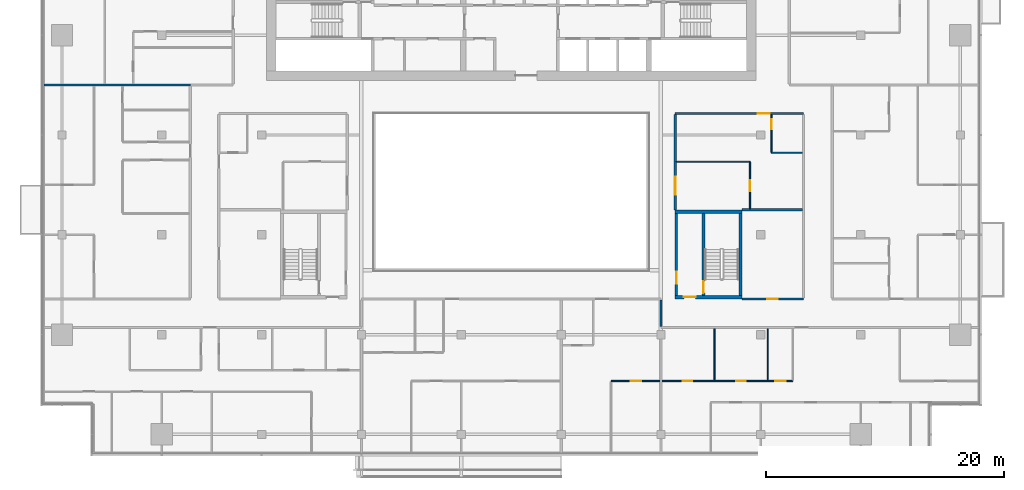
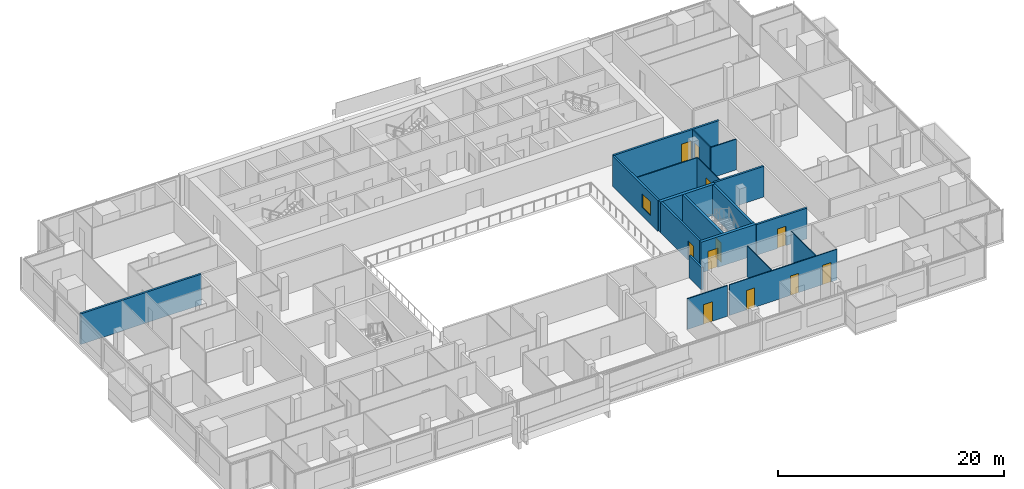
# One storey, part 19 of 27: 19 walls, 11 doors, 1 window, 12 openings.
"""IFC4 building model written with IfcOpenShell, lengths in metres."""

from ifc_helpers import new_model, si_unit, direction, frame, frame_2d, origin, place, context, subcontext, project, spatial, rectangle, extrude, material, layer, layer_set, type_object, element, fill, save


model = new_model("IFC4")

# Units and contexts
model_context = context("Model", 3, precision=1e-05, world=origin(), true_north=direction((0.0, 1.0)))
body_context = subcontext(model_context, "Body", "Model", "MODEL_VIEW")
ifc_project = project(units=[si_unit("LENGTHUNIT", "METRE"), si_unit("AREAUNIT", "SQUARE_METRE"), si_unit("VOLUMEUNIT", "CUBIC_METRE"), si_unit("PLANEANGLEUNIT", "RADIAN"), si_unit("MASSUNIT", "GRAM", prefix="KILO")], contexts=[model_context])

# Site, building, storey
site_placement = place(None, origin())
site = spatial("IfcSite", under=ifc_project, at=site_placement, CompositionType="ELEMENT")
building_placement = place(site_placement, origin())
building = spatial("IfcBuilding", under=site, at=building_placement, Name="Saffron Gate Tower", CompositionType="ELEMENT")
storey_placement = place(building_placement, frame((0.0, 0.0, 172.64990234375)))
storey = spatial("IfcBuildingStorey", under=building, at=storey_placement, Name="L42", CompositionType="ELEMENT", Elevation=172.64990234375)

# Wall, opening, door
ifc_material_1 = material(Name="Gypsum board partition on steel studs", Category="steel")
ifc_layer_1 = layer(ifc_material_1, 0.199951171875)
ifc_layer_set_1 = layer_set([ifc_layer_1], Name="CW10 Core partition 200")
wall_type_1 = type_object("IfcWallType", Name="CW10 Core partition 200", PredefinedType="PARTITIONING", material=ifc_layer_set_1)
wall_1_placement = place(storey_placement, frame((101.5, 43.5, 0.0), z_axis=(0.0, 0.0, 1.0), x_axis=(0.0, 1.0, 0.0)))
wall_1 = element("IfcWall", 1, at=wall_1_placement, inside=storey, type_object=wall_type_1, Name="Wall CW10-L42-E-2", PredefinedType="PARTITIONING", context=body_context, shape_type="SweptSolid", body=[
    extrude(rectangle(XDim=6.89990234375, YDim=0.199951171875, at=frame_2d((3.449951171875, 0.0))), origin(), (0.0, 0.0, 1.0), 3.320068359375),
])
opening_1_placement = place(wall_1_placement, frame((1.0, 0.0, 0.0)))
opening_1 = element("IfcOpeningElement", 2, at=opening_1_placement, cuts=wall_1, Name="Opening CR-22", PredefinedType="OPENING", context=body_context, shape_type="SweptSolid", body=[
    extrude(rectangle(XDim=1.0, YDim=2.10009765625, at=frame_2d((0.5, 1.050048828125))), frame((0.0, 0.10986328125, 0.0), z_axis=(0.0, -1.0, 0.0), x_axis=(1.0, 0.0, 0.0)), (0.0, 0.0, 1.0), 0.219970703125),
])
ifc_material_2 = material(Name="Steel fire door set", Category="steel")
door_type_1 = type_object("IfcDoorType", Name="CD4 Lobby door 1000x2100 EI 120", OperationType="NOTDEFINED", PredefinedType="DOOR", material=ifc_material_2)
door_1_placement = place(opening_1_placement, origin())
door_1 = element("IfcDoor", 3, at=door_1_placement, inside=storey, type_object=door_type_1, Name="DOOR CR-22", OperationType="SINGLE_SWING_LEFT", OverallHeight=2.10009765625, OverallWidth=1.0, PredefinedType="DOOR", context=body_context, shape_type="SweptSolid", body=[
    extrude(rectangle(XDim=1.0, YDim=2.10009765625, at=frame_2d((0.5, 1.050048828125))), frame((0.0, 0.02490234375, 0.0), z_axis=(0.0, -1.0, 0.0), x_axis=(1.0, 0.0, 0.0)), (0.0, 0.0, 1.0), 0.050048828125),
])
fill(opening_1, door_1)

ifc_material_3 = material(Name="Concrete C60", Category="concrete")
ifc_layer_2 = layer(ifc_material_3, 0.25)
ifc_layer_set_2 = layer_set([ifc_layer_2], Name="CW14 RC core wall 250 C60")
wall_type_2 = type_object("IfcWallType", Name="CW14 RC core wall 250 C60", PredefinedType="SOLIDWALL", material=ifc_layer_set_2)
wall_2_placement = place(storey_placement, frame((103.77490234375, 43.5, 0.0), z_axis=(0.0, 0.0, 1.0), x_axis=(0.0, 1.0, 0.0)))
wall_2 = element("IfcWall", 4, at=wall_2_placement, inside=storey, type_object=wall_type_2, Name="Wall CW14-L42-E-3", PredefinedType="SOLIDWALL", context=body_context, shape_type="SweptSolid", body=[
    extrude(rectangle(XDim=6.89990234375, YDim=0.25, at=frame_2d((3.449951171875, 0.0))), origin(), (0.0, 0.0, 1.0), 3.320068359375),
])
opening_2_placement = place(wall_2_placement, frame((0.199951171875, 0.0, 0.0)))
opening_2 = element("IfcOpeningElement", 5, at=opening_2_placement, cuts=wall_2, Name="Opening CR-23", PredefinedType="OPENING", context=body_context, shape_type="SweptSolid", body=[
    extrude(rectangle(XDim=1.0, YDim=2.10009765625, at=frame_2d((0.5, 1.050048828125))), frame((0.0, 0.135009765625, 0.0), z_axis=(0.0, -1.0, 0.0), x_axis=(1.0, 0.0, 0.0)), (0.0, 0.0, 1.0), 0.27001953125),
])
door_type_2 = type_object("IfcDoorType", Name="CD5 Stair door 1000x2100 EI 120", OperationType="NOTDEFINED", PredefinedType="DOOR", material=ifc_material_2)
door_2_placement = place(opening_2_placement, origin())
door_2 = element("IfcDoor", 6, at=door_2_placement, inside=storey, type_object=door_type_2, Name="DOOR CR-23", OperationType="SINGLE_SWING_RIGHT", OverallHeight=2.10009765625, OverallWidth=1.0, PredefinedType="DOOR", context=body_context, shape_type="SweptSolid", body=[
    extrude(rectangle(XDim=1.0, YDim=2.10009765625, at=frame_2d((0.5, 1.050048828125))), frame((0.0, 0.02490234375, 0.0), z_axis=(0.0, -1.0, 0.0), x_axis=(1.0, 0.0, 0.0)), (0.0, 0.0, 1.0), 0.050048828125),
])
fill(opening_2, door_2)

# Wall
wall_3_placement = place(storey_placement, frame((106.875, 43.5, 0.0), z_axis=(0.0, 0.0, 1.0), x_axis=(0.0, 1.0, 0.0)))
element("IfcWall", 7, at=wall_3_placement, inside=storey, type_object=wall_type_2, Name="Wall CW14-L42-E-4", PredefinedType="SOLIDWALL", context=body_context, shape_type="SweptSolid", body=[
    extrude(rectangle(XDim=6.89990234375, YDim=0.25, at=frame_2d((3.449951171875, 0.0))), origin(), (0.0, 0.0, 1.0), 3.320068359375),
])

# Wall, opening, door
ifc_layer_3 = layer(ifc_material_3, 0.300048828125)
ifc_layer_set_3 = layer_set([ifc_layer_3], Name="CW17 RC core wall 300 C60")
wall_type_3 = type_object("IfcWallType", Name="CW17 RC core wall 300 C60", PredefinedType="SOLIDWALL", material=ifc_layer_set_3)
wall_4_placement = place(storey_placement, frame((101.39990234375, 43.35009765625, 0.0), z_axis=(0.0, 0.0, 1.0), x_axis=(1.0, 0.0, 0.0)))
wall_4 = element("IfcWall", 8, at=wall_4_placement, inside=storey, type_object=wall_type_3, Name="Wall CW17-L42-E-1", PredefinedType="SOLIDWALL", context=body_context, shape_type="SweptSolid", body=[
    extrude(rectangle(XDim=5.60009765625, YDim=0.300048828125, at=frame_2d((2.800048828125, 0.0))), origin(), (0.0, 0.0, 1.0), 3.320068359375),
])
opening_3_placement = place(wall_4_placement, frame((0.72509765625, 0.0, 0.0)))
opening_3 = element("IfcOpeningElement", 9, at=opening_3_placement, cuts=wall_4, Name="Opening CR-21", PredefinedType="OPENING", context=body_context, shape_type="SweptSolid", body=[
    extrude(rectangle(XDim=1.0, YDim=2.10009765625, at=frame_2d((0.5, 1.050048828125))), frame((0.0, 0.16015625, 0.0), z_axis=(0.0, -1.0, 0.0), x_axis=(1.0, 0.0, 0.0)), (0.0, 0.0, 1.0), 0.320068359375),
])
door_3_placement = place(opening_3_placement, origin())
door_3 = element("IfcDoor", 10, at=door_3_placement, inside=storey, type_object=door_type_1, Name="DOOR CR-21", OperationType="SINGLE_SWING_RIGHT", OverallHeight=2.10009765625, OverallWidth=1.0, PredefinedType="DOOR", context=body_context, shape_type="SweptSolid", body=[
    extrude(rectangle(XDim=1.0, YDim=2.10009765625, at=frame_2d((0.5, 1.050048828125))), frame((0.0, 0.02490234375, 0.0), z_axis=(0.0, -1.0, 0.0), x_axis=(1.0, 0.0, 0.0)), (0.0, 0.0, 1.0), 0.050048828125),
])
fill(opening_3, door_3)

# Walls
wall_5_placement = place(storey_placement, frame((101.39990234375, 50.550048828125, 0.0), z_axis=(0.0, 0.0, 1.0), x_axis=(1.0, 0.0, 0.0)))
element("IfcWall", 11, at=wall_5_placement, inside=storey, type_object=wall_type_3, Name="Wall CW17-L42-E-5", PredefinedType="SOLIDWALL", context=body_context, shape_type="SweptSolid", body=[
    extrude(rectangle(XDim=5.60009765625, YDim=0.300048828125, at=frame_2d((2.800048828125, 0.0))), origin(), (0.0, 0.0, 1.0), 3.320068359375),
])
ifc_material_4 = material(Name="Plasterboard on steel studs", Category="steel")
ifc_layer_4 = layer(ifc_material_4, 0.10009765625)
ifc_layer_set_4 = layer_set([ifc_layer_4], Name="PW1 Partition 100")
wall_type_4 = type_object("IfcWallType", Name="PW1 Partition 100", PredefinedType="PARTITIONING", material=ifc_layer_set_4)
wall_6_placement = place(storey_placement, frame((101.5, 54.75, 0.0), z_axis=(0.0, 0.0, 1.0), x_axis=(1.0, 0.0, 0.0)))
element("IfcWall", 12, at=wall_6_placement, inside=storey, type_object=wall_type_4, Name="Partition C3-31", PredefinedType="PARTITIONING", context=body_context, shape_type="SweptSolid", body=[
    extrude(rectangle(XDim=6.199951171875, YDim=0.10009765625, at=frame_2d((3.10009765625, 0.0))), origin(), (0.0, 0.0, 1.0), 3.320068359375),
])
wall_7_placement = place(storey_placement, frame((109.5, 55.5, 0.0), z_axis=(0.0, 0.0, 1.0), x_axis=(1.0, 0.0, 0.0)))
element("IfcWall", 13, at=wall_7_placement, inside=storey, type_object=wall_type_4, Name="Partition C3-34", PredefinedType="PARTITIONING", context=body_context, shape_type="SweptSolid", body=[
    extrude(rectangle(XDim=2.60009765625, YDim=0.10009765625, at=frame_2d((1.300048828125, 0.0))), origin(), (0.0, 0.0, 1.0), 3.320068359375),
])
wall_8_placement = place(storey_placement, frame((104.699951171875, 40.699951171875, 0.0), z_axis=(0.0, 0.0, 1.0), x_axis=(0.0, -1.0, 0.0)))
element("IfcWall", 14, at=wall_8_placement, inside=storey, type_object=wall_type_4, Name="Partition C3-98", PredefinedType="PARTITIONING", context=body_context, shape_type="SweptSolid", body=[
    extrude(rectangle(XDim=4.349853515625, YDim=0.10009765625, at=frame_2d((2.1748046875, 0.0))), origin(), (0.0, 0.0, 1.0), 3.320068359375),
])

# Wall, opening, door
wall_9_placement = place(storey_placement, frame((107.699951171875, 50.800048828125, 0.0), z_axis=(0.0, 0.0, 1.0), x_axis=(0.0, 1.0, 0.0)))
wall_9 = element("IfcWall", 15, at=wall_9_placement, inside=storey, type_object=wall_type_4, Name="Partition C3-99", PredefinedType="PARTITIONING", context=body_context, shape_type="SweptSolid", body=[
    extrude(rectangle(XDim=3.89990234375, YDim=0.10009765625, at=frame_2d((1.949951171875, 0.0))), origin(), (0.0, 0.0, 1.0), 3.320068359375),
])
opening_4_placement = place(wall_9_placement, frame((1.47509765625, 0.0, 0.0)))
opening_4 = element("IfcOpeningElement", 16, at=opening_4_placement, cuts=wall_9, Name="Opening C3-39", PredefinedType="OPENING", context=body_context, shape_type="SweptSolid", body=[
    extrude(rectangle(XDim=0.89990234375, YDim=2.10009765625, at=frame_2d((0.449951171875, 1.050048828125))), frame((0.0, 0.06005859375, 0.0), z_axis=(0.0, -1.0, 0.0), x_axis=(1.0, 0.0, 0.0)), (0.0, 0.0, 1.0), 0.1201171875),
])
ifc_material_5 = material(Name="Timber door set", Category="wood")
door_type_3 = type_object("IfcDoorType", Name="RD1 Room door 900x2100", OperationType="NOTDEFINED", PredefinedType="DOOR", material=ifc_material_5)
door_4_placement = place(opening_4_placement, origin())
door_4 = element("IfcDoor", 17, at=door_4_placement, inside=storey, type_object=door_type_3, Name="Door C3-39", OperationType="SINGLE_SWING_LEFT", OverallHeight=2.10009765625, OverallWidth=0.89990234375, PredefinedType="DOOR", context=body_context, shape_type="SweptSolid", body=[
    extrude(rectangle(XDim=0.89990234375, YDim=2.10009765625, at=frame_2d((0.449951171875, 1.050048828125))), frame((0.0, 0.02490234375, 0.0), z_axis=(0.0, -1.0, 0.0), x_axis=(1.0, 0.0, 0.0)), (0.0, 0.0, 1.0), 0.050048828125),
])
fill(opening_4, door_4)

# Wall
wall_10_placement = place(storey_placement, frame((109.199951171875, 40.699951171875, 0.0), z_axis=(0.0, 0.0, 1.0), x_axis=(0.0, -1.0, 0.0)))
element("IfcWall", 18, at=wall_10_placement, inside=storey, type_object=wall_type_4, Name="Partition C3-102", PredefinedType="PARTITIONING", context=body_context, shape_type="SweptSolid", body=[
    extrude(rectangle(XDim=4.349853515625, YDim=0.10009765625, at=frame_2d((2.1748046875, 0.0))), origin(), (0.0, 0.0, 1.0), 3.320068359375),
])

# Wall, opening, door
wall_11_placement = place(storey_placement, frame((109.5, 58.699951171875, 0.0), z_axis=(0.0, 0.0, 1.0), x_axis=(0.0, -1.0, 0.0)))
wall_11 = element("IfcWall", 19, at=wall_11_placement, inside=storey, type_object=wall_type_4, Name="Partition C3-103", PredefinedType="PARTITIONING", context=body_context, shape_type="SweptSolid", body=[
    extrude(rectangle(XDim=3.14990234375, YDim=0.10009765625, at=frame_2d((1.574951171875, 0.0))), origin(), (0.0, 0.0, 1.0), 3.320068359375),
])
opening_5_placement = place(wall_11_placement, frame((0.39990234375, 0.0, 0.0)))
opening_5 = element("IfcOpeningElement", 20, at=opening_5_placement, cuts=wall_11, Name="Opening C3-54", PredefinedType="OPENING", context=body_context, shape_type="SweptSolid", body=[
    extrude(rectangle(XDim=0.800048828125, YDim=2.10009765625, at=frame_2d((0.39990234375, 1.050048828125))), frame((0.0, 0.06005859375, 0.0), z_axis=(0.0, -1.0, 0.0), x_axis=(1.0, 0.0, 0.0)), (0.0, 0.0, 1.0), 0.1201171875),
])
door_type_4 = type_object("IfcDoorType", Name="RD2 Bathroom door 800x2100", OperationType="NOTDEFINED", PredefinedType="DOOR", material=ifc_material_5)
door_5_placement = place(opening_5_placement, origin())
door_5 = element("IfcDoor", 21, at=door_5_placement, inside=storey, type_object=door_type_4, Name="Door C3-54", OperationType="SINGLE_SWING_LEFT", OverallHeight=2.10009765625, OverallWidth=0.800048828125, PredefinedType="DOOR", context=body_context, shape_type="SweptSolid", body=[
    extrude(rectangle(XDim=0.800048828125, YDim=2.10009765625, at=frame_2d((0.39990234375, 1.050048828125))), frame((0.0, 0.02490234375, 0.0), z_axis=(0.0, -1.0, 0.0), x_axis=(1.0, 0.0, 0.0)), (0.0, 0.0, 1.0), 0.050048828125),
])
fill(opening_5, door_5)

wall_12_placement = place(storey_placement, frame((100.10009765625, 36.300048828125, 0.0), z_axis=(0.0, 0.0, 1.0), x_axis=(-1.0, 0.0, 0.0)))
wall_12 = element("IfcWall", 22, at=wall_12_placement, inside=storey, type_object=wall_type_4, Name="Partition C3-119", PredefinedType="PARTITIONING", context=body_context, shape_type="SweptSolid", body=[
    extrude(rectangle(XDim=4.10009765625, YDim=0.10009765625, at=frame_2d((2.050048828125, 0.0))), origin(), (0.0, 0.0, 1.0), 3.320068359375),
])
opening_6_placement = place(wall_12_placement, frame((1.550048828125, 0.0, 0.0)))
opening_6 = element("IfcOpeningElement", 23, at=opening_6_placement, cuts=wall_12, Name="Opening C3-19", PredefinedType="OPENING", context=body_context, shape_type="SweptSolid", body=[
    extrude(rectangle(XDim=0.89990234375, YDim=2.10009765625, at=frame_2d((0.449951171875, 1.050048828125))), frame((0.0, 0.06005859375, 0.0), z_axis=(0.0, -1.0, 0.0), x_axis=(1.0, 0.0, 0.0)), (0.0, 0.0, 1.0), 0.1201171875),
])
door_6_placement = place(opening_6_placement, origin())
door_6 = element("IfcDoor", 24, at=door_6_placement, inside=storey, type_object=door_type_3, Name="Door C3-19", OperationType="SINGLE_SWING_LEFT", OverallHeight=2.10009765625, OverallWidth=0.89990234375, PredefinedType="DOOR", context=body_context, shape_type="SweptSolid", body=[
    extrude(rectangle(XDim=0.89990234375, YDim=2.10009765625, at=frame_2d((0.449951171875, 1.050048828125))), frame((0.0, 0.02490234375, 0.0), z_axis=(0.0, -1.0, 0.0), x_axis=(1.0, 0.0, 0.0)), (0.0, 0.0, 1.0), 0.050048828125),
])
fill(opening_6, door_6)

# Wall, openings, doors
wall_13_placement = place(storey_placement, frame((100.300048828125, 36.300048828125, 0.0), z_axis=(0.0, 0.0, 1.0), x_axis=(1.0, 0.0, 0.0)))
wall_13 = element("IfcWall", 25, at=wall_13_placement, inside=storey, type_object=wall_type_4, Name="Partition C3-120", PredefinedType="PARTITIONING", context=body_context, shape_type="SweptSolid", body=[
    extrude(rectangle(XDim=11.0, YDim=0.10009765625, at=frame_2d((5.5, 0.0))), origin(), (0.0, 0.0, 1.0), 3.320068359375),
])
opening_7_placement = place(wall_13_placement, frame((1.75, 0.0, 0.0)))
opening_7 = element("IfcOpeningElement", 26, at=opening_7_placement, cuts=wall_13, Name="Opening C3-45", PredefinedType="OPENING", context=body_context, shape_type="SweptSolid", body=[
    extrude(rectangle(XDim=0.800048828125, YDim=2.10009765625, at=frame_2d((0.39990234375, 1.050048828125))), frame((0.0, 0.06005859375, 0.0), z_axis=(0.0, -1.0, 0.0), x_axis=(1.0, 0.0, 0.0)), (0.0, 0.0, 1.0), 0.1201171875),
])
opening_8_placement = place(wall_13_placement, frame((6.25, 0.0, 0.0)))
opening_8 = element("IfcOpeningElement", 27, at=opening_8_placement, cuts=wall_13, Name="Opening C3-46", PredefinedType="OPENING", context=body_context, shape_type="SweptSolid", body=[
    extrude(rectangle(XDim=0.800048828125, YDim=2.10009765625, at=frame_2d((0.39990234375, 1.050048828125))), frame((0.0, 0.06005859375, 0.0), z_axis=(0.0, -1.0, 0.0), x_axis=(1.0, 0.0, 0.0)), (0.0, 0.0, 1.0), 0.1201171875),
])
opening_9_placement = place(wall_13_placement, frame((9.5, 0.0, 0.0)))
opening_9 = element("IfcOpeningElement", 28, at=opening_9_placement, cuts=wall_13, Name="Opening C3-25", PredefinedType="OPENING", context=body_context, shape_type="SweptSolid", body=[
    extrude(rectangle(XDim=0.89990234375, YDim=2.10009765625, at=frame_2d((0.449951171875, 1.050048828125))), frame((0.0, 0.06005859375, 0.0), z_axis=(0.0, -1.0, 0.0), x_axis=(1.0, 0.0, 0.0)), (0.0, 0.0, 1.0), 0.1201171875),
])
door_7_placement = place(opening_9_placement, origin())
door_7 = element("IfcDoor", 29, at=door_7_placement, inside=storey, type_object=door_type_3, Name="Door C3-25", OperationType="SINGLE_SWING_RIGHT", OverallHeight=2.10009765625, OverallWidth=0.89990234375, PredefinedType="DOOR", context=body_context, shape_type="SweptSolid", body=[
    extrude(rectangle(XDim=0.89990234375, YDim=2.10009765625, at=frame_2d((0.449951171875, 1.050048828125))), frame((0.0, 0.02490234375, 0.0), z_axis=(0.0, -1.0, 0.0), x_axis=(1.0, 0.0, 0.0)), (0.0, 0.0, 1.0), 0.050048828125),
])
fill(opening_9, door_7)
door_8_placement = place(opening_7_placement, origin())
door_8 = element("IfcDoor", 30, at=door_8_placement, inside=storey, type_object=door_type_4, Name="Door C3-45", OperationType="SINGLE_SWING_LEFT", OverallHeight=2.10009765625, OverallWidth=0.800048828125, PredefinedType="DOOR", context=body_context, shape_type="SweptSolid", body=[
    extrude(rectangle(XDim=0.800048828125, YDim=2.10009765625, at=frame_2d((0.39990234375, 1.050048828125))), frame((0.0, 0.02490234375, 0.0), z_axis=(0.0, -1.0, 0.0), x_axis=(1.0, 0.0, 0.0)), (0.0, 0.0, 1.0), 0.050048828125),
])
fill(opening_7, door_8)
door_9_placement = place(opening_8_placement, origin())
door_9 = element("IfcDoor", 31, at=door_9_placement, inside=storey, type_object=door_type_4, Name="Door C3-46", OperationType="SINGLE_SWING_RIGHT", OverallHeight=2.10009765625, OverallWidth=0.800048828125, PredefinedType="DOOR", context=body_context, shape_type="SweptSolid", body=[
    extrude(rectangle(XDim=0.800048828125, YDim=2.10009765625, at=frame_2d((0.39990234375, 1.050048828125))), frame((0.0, 0.02490234375, 0.0), z_axis=(0.0, -1.0, 0.0), x_axis=(1.0, 0.0, 0.0)), (0.0, 0.0, 1.0), 0.050048828125),
])
fill(opening_8, door_9)

# Walls
ifc_material_6 = material(Name="Clay brick masonry, rendered", Category="masonry")
ifc_layer_5 = layer(ifc_material_6, 0.199951171875)
ifc_layer_set_5 = layer_set([ifc_layer_5], Name="PW2 Demising wall 200")
wall_type_5 = type_object("IfcWallType", Name="PW2 Demising wall 200", PredefinedType="PARTITIONING", material=ifc_layer_set_5)
wall_14_placement = place(storey_placement, frame((107.0, 50.699951171875, 0.0), z_axis=(0.0, 0.0, 1.0), x_axis=(1.0, 0.0, 0.0)))
element("IfcWall", 32, at=wall_14_placement, inside=storey, type_object=wall_type_5, Name="Wall C3-27", PredefinedType="PARTITIONING", context=body_context, shape_type="SweptSolid", body=[
    extrude(rectangle(XDim=5.10009765625, YDim=0.199951171875, at=frame_2d((2.550048828125, 0.0))), origin(), (0.0, 0.0, 1.0), 3.320068359375),
])
wall_15_placement = place(storey_placement, frame((48.280029296875, 61.199951171875, 0.0), z_axis=(0.0, 0.0, 1.0), x_axis=(1.0, 0.0, 0.0)))
element("IfcWall", 33, at=wall_15_placement, inside=storey, type_object=wall_type_5, Name="Wall C3-43", PredefinedType="PARTITIONING", context=body_context, shape_type="SweptSolid", body=[
    extrude(rectangle(XDim=12.320068359375, YDim=0.199951171875, at=frame_2d((6.16015625, 0.0))), origin(), (0.0, 0.0, 1.0), 3.320068359375),
])

# Wall, opening, door
ifc_layer_6 = layer(ifc_material_6, 0.199951171875)
ifc_layer_set_6 = layer_set([ifc_layer_6], Name="PW3 Corridor wall 200")
wall_type_6 = type_object("IfcWallType", Name="PW3 Corridor wall 200", PredefinedType="PARTITIONING", material=ifc_layer_set_6)
wall_16_placement = place(storey_placement, frame((107.0, 43.199951171875, 0.0), z_axis=(0.0, 0.0, 1.0), x_axis=(1.0, 0.0, 0.0)))
wall_16 = element("IfcWall", 34, at=wall_16_placement, inside=storey, type_object=wall_type_6, Name="Wall C3-16", PredefinedType="PARTITIONING", context=body_context, shape_type="SweptSolid", body=[
    extrude(rectangle(XDim=5.199951171875, YDim=0.199951171875, at=frame_2d((2.60009765625, 0.0))), origin(), (0.0, 0.0, 1.0), 3.320068359375),
])
opening_10_placement = place(wall_16_placement, frame((2.14990234375, 0.0, 0.0)))
opening_10 = element("IfcOpeningElement", 35, at=opening_10_placement, cuts=wall_16, Name="Opening C3-55", PredefinedType="OPENING", context=body_context, shape_type="SweptSolid", body=[
    extrude(rectangle(XDim=0.89990234375, YDim=2.10009765625, at=frame_2d((0.449951171875, 1.050048828125))), frame((0.0, 0.10986328125, 0.0), z_axis=(0.0, -1.0, 0.0), x_axis=(1.0, 0.0, 0.0)), (0.0, 0.0, 1.0), 0.219970703125),
])
door_type_5 = type_object("IfcDoorType", Name="SD1 Service door 900x2100", OperationType="NOTDEFINED", PredefinedType="DOOR", material=ifc_material_2)
door_10_placement = place(opening_10_placement, origin())
door_10 = element("IfcDoor", 36, at=door_10_placement, inside=storey, type_object=door_type_5, Name="Door C3-55", OperationType="SINGLE_SWING_LEFT", OverallHeight=2.10009765625, OverallWidth=0.89990234375, PredefinedType="DOOR", context=body_context, shape_type="SweptSolid", body=[
    extrude(rectangle(XDim=0.89990234375, YDim=2.10009765625, at=frame_2d((0.449951171875, 1.050048828125))), frame((0.0, 0.02490234375, 0.0), z_axis=(0.0, -1.0, 0.0), x_axis=(1.0, 0.0, 0.0)), (0.0, 0.0, 1.0), 0.050048828125),
])
fill(opening_10, door_10)

wall_17_placement = place(storey_placement, frame((112.199951171875, 58.800048828125, 0.0), z_axis=(0.0, 0.0, 1.0), x_axis=(-1.0, 0.0, 0.0)))
wall_17 = element("IfcWall", 37, at=wall_17_placement, inside=storey, type_object=wall_type_6, Name="Wall C3-39", PredefinedType="PARTITIONING", context=body_context, shape_type="SweptSolid", body=[
    extrude(rectangle(XDim=10.800048828125, YDim=0.199951171875, at=frame_2d((5.39990234375, 0.0))), origin(), (0.0, 0.0, 1.0), 3.320068359375),
])
opening_11_placement = place(wall_17_placement, frame((2.85009765625, 0.0, 0.0)))
opening_11 = element("IfcOpeningElement", 38, at=opening_11_placement, cuts=wall_17, Name="Opening C3-10", PredefinedType="OPENING", context=body_context, shape_type="SweptSolid", body=[
    extrude(rectangle(XDim=1.0, YDim=2.10009765625, at=frame_2d((0.5, 1.050048828125))), frame((0.0, 0.10986328125, 0.0), z_axis=(0.0, -1.0, 0.0), x_axis=(1.0, 0.0, 0.0)), (0.0, 0.0, 1.0), 0.219970703125),
])
ifc_material_7 = material(Name="Timber fire door set", Category="wood")
door_type_6 = type_object("IfcDoorType", Name="FD1 Flat entry door 1000x2100", OperationType="NOTDEFINED", PredefinedType="DOOR", material=ifc_material_7)
door_11_placement = place(opening_11_placement, origin())
door_11 = element("IfcDoor", 39, at=door_11_placement, inside=storey, type_object=door_type_6, Name="Door C3-10", OperationType="SINGLE_SWING_LEFT", OverallHeight=2.10009765625, OverallWidth=1.0, PredefinedType="DOOR", context=body_context, shape_type="SweptSolid", body=[
    extrude(rectangle(XDim=1.0, YDim=2.10009765625, at=frame_2d((0.5, 1.050048828125))), frame((0.0, 0.02490234375, 0.0), z_axis=(0.0, -1.0, 0.0), x_axis=(1.0, 0.0, 0.0)), (0.0, 0.0, 1.0), 0.050048828125),
])
fill(opening_11, door_11)

# Wall
wall_18_placement = place(storey_placement, frame((100.199951171875, 43.10009765625, 0.0), z_axis=(0.0, 0.0, 1.0), x_axis=(0.0, -1.0, 0.0)))
element("IfcWall", 40, at=wall_18_placement, inside=storey, type_object=wall_type_6, Name="Wall C3-93", PredefinedType="PARTITIONING", context=body_context, shape_type="SweptSolid", body=[
    extrude(rectangle(XDim=2.2001953125, YDim=0.199951171875, at=frame_2d((1.10009765625, 0.0))), origin(), (0.0, 0.0, 1.0), 2.43017578125),
])

# Wall, opening, window
wall_19_placement = place(storey_placement, frame((101.39990234375, 58.699951171875, 0.0), z_axis=(0.0, 0.0, 1.0), x_axis=(0.0, -1.0, 0.0)))
wall_19 = element("IfcWall", 41, at=wall_19_placement, inside=storey, type_object=wall_type_6, Name="Wall C3-96", PredefinedType="PARTITIONING", context=body_context, shape_type="SweptSolid", body=[
    extrude(rectangle(XDim=8.0, YDim=0.199951171875, at=frame_2d((4.0, 0.0))), origin(), (0.0, 0.0, 1.0), 3.320068359375),
])
opening_12_placement = place(wall_19_placement, frame((5.22509765625, 0.0, 0.89990234375)))
opening_12 = element("IfcOpeningElement", 42, at=opening_12_placement, cuts=wall_19, Name="Opening GW1", PredefinedType="OPENING", context=body_context, shape_type="SweptSolid", body=[
    extrude(rectangle(XDim=1.5, YDim=1.5, at=frame_2d((0.75, 0.75))), frame((0.0, 0.10986328125, 0.0), z_axis=(0.0, -1.0, 0.0), x_axis=(1.0, 0.0, 0.0)), (0.0, 0.0, 1.0), 0.219970703125),
])
ifc_material_8 = material(Name="Fire-resisting laminated glass in steel frame", Category="steel")
ifc_layer_7 = layer(ifc_material_8, 0.06005859375)
ifc_layer_set_7 = layer_set([ifc_layer_7], Name="GW1 Gallery window 1500x1500")
window_type = type_object("IfcWindowType", Name="GW1 Gallery window 1500x1500", PartitioningType="SINGLE_PANEL", PredefinedType="WINDOW", material=ifc_layer_set_7)
window_placement = place(opening_12_placement, origin())
window = element("IfcWindow", 43, at=window_placement, inside=storey, type_object=window_type, Name="GW1 window C3-K-B1", OverallHeight=1.5, OverallWidth=1.5, PartitioningType="SINGLE_PANEL", PredefinedType="WINDOW", context=body_context, shape_type="SweptSolid", body=[
    extrude(rectangle(XDim=1.5, YDim=1.5, at=frame_2d((0.75, 0.75))), frame((0.0, 0.030029296875, 0.0), z_axis=(0.0, -1.0, 0.0), x_axis=(1.0, 0.0, 0.0)), (0.0, 0.0, 1.0), 0.06005859375),
])
fill(opening_12, window)

save(model, "model.ifc")
